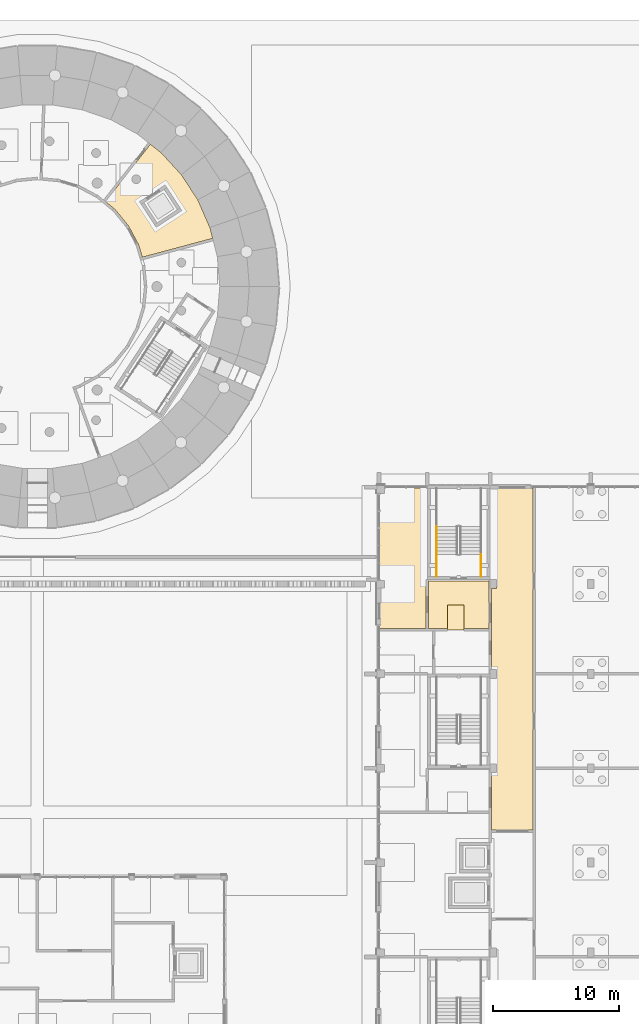
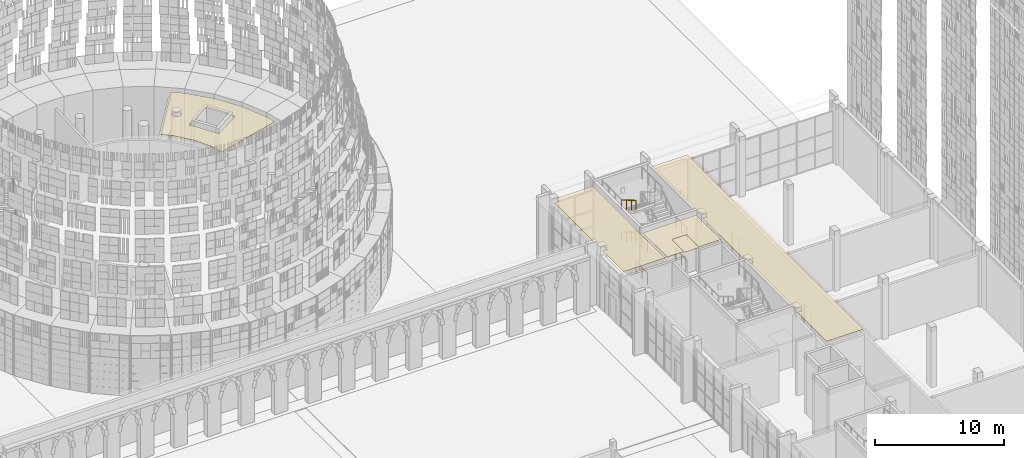
# One storey, part 122 of 125: 6 railings, 5 coverings.
"""IFC4 building model written with IfcOpenShell, lengths in metres."""

from ifc_helpers import new_model, si_unit, direction, frame, origin, origin_2d, place, context, subcontext, project, spatial, polyline, circle, outline, extrude, material, layer, layer_set, type_object, element, save


model = new_model("IFC4")

# Units and contexts
model_context = context("Model", 3, precision=1e-05, world=origin(), true_north=direction((0.0, 1.0)))
body_context = subcontext(model_context, "Body", "Model", "MODEL_VIEW")
ifc_project = project(units=[si_unit("LENGTHUNIT", "METRE"), si_unit("AREAUNIT", "SQUARE_METRE"), si_unit("VOLUMEUNIT", "CUBIC_METRE"), si_unit("PLANEANGLEUNIT", "RADIAN"), si_unit("MASSUNIT", "GRAM", prefix="KILO")], contexts=[model_context])

# Site, building, storey
site_placement = place(None, origin())
site = spatial("IfcSite", under=ifc_project, at=site_placement, CompositionType="ELEMENT")
building_placement = place(site_placement, origin())
building = spatial("IfcBuilding", under=site, at=building_placement, Name="Sun Court Science Centre", CompositionType="ELEMENT")
storey_placement = place(building_placement, origin())
storey = spatial("IfcBuildingStorey", under=building, at=storey_placement, Name="L00", CompositionType="ELEMENT", Elevation=0.0)

# Coverings
ifc_material_1 = material(Name="Perforated steel", Category="steel")
ifc_layer_1 = layer(ifc_material_1, 0.030029296875)
ifc_layer_set_1 = layer_set([ifc_layer_1], Name="Perforated steel")
covering_type_1 = type_object("IfcCoveringType", Name="Ceiling acoustic perforated", PredefinedType="CEILING", material=ifc_layer_set_1)
covering_1_placement = place(storey_placement, frame((0.0, 0.0, 5.27001953125)))
element("IfcCovering", 1, at=covering_1_placement, inside=storey, type_object=covering_type_1, Name="L00-084 ceiling", PredefinedType="CEILING", context=body_context, shape_type="SweptSolid", body=[
    extrude(outline(polyline([(63.7509765625, 103.700439453125), (64.712646484375, 101.507568359375), (64.93310546875, 100.636962890625), (59.339111328125, 99.137939453125), (59.0380859375, 100.12939453125), (58.234130859375, 101.6337890625), (57.152099609375, 102.9521484375), (56.40966796875, 103.5615234375), (59.974609375, 108.12451171875), (60.8193359375, 107.466796875), (62.441162109375, 105.705078125), (63.7509765625, 103.700439453125)]), holes=[polyline([(61.17578125, 105.015869140625), (58.978271484375, 103.580078125), (60.413818359375, 101.382568359375), (62.611572265625, 102.818359375), (61.17578125, 105.015869140625)]), polyline([(59.194580078125, 105.243896484375), (59.19970703125, 105.26611328125), (59.20361328125, 105.288818359375), (59.205810546875, 105.3115234375), (59.20654296875, 105.33447265625), (59.205810546875, 105.357421875), (59.20361328125, 105.380126953125), (59.19970703125, 105.402587890625), (59.194580078125, 105.425048828125), (59.18798828125, 105.447021484375), (59.1796875, 105.46826171875), (59.17041015625, 105.4892578125), (59.15966796875, 105.509521484375), (59.1474609375, 105.52880859375), (59.134033203125, 105.547607421875), (59.11962890625, 105.565185546875), (59.10400390625, 105.581787109375), (59.087158203125, 105.597412109375), (59.069580078125, 105.612060546875), (59.05078125, 105.62548828125), (59.031494140625, 105.637451171875), (59.01123046875, 105.648193359375), (58.990478515625, 105.65771484375), (58.968994140625, 105.665771484375), (58.947021484375, 105.672607421875), (58.9248046875, 105.677734375), (58.902099609375, 105.681396484375), (58.87939453125, 105.68359375), (58.8564453125, 105.684326171875), (58.83349609375, 105.68359375), (58.810791015625, 105.681396484375), (58.7880859375, 105.677734375), (58.765869140625, 105.672607421875), (58.743896484375, 105.665771484375), (58.722412109375, 105.65771484375), (58.70166015625, 105.648193359375), (58.681396484375, 105.637451171875), (58.662109375, 105.62548828125), (58.643310546875, 105.612060546875), (58.625732421875, 105.597412109375), (58.60888671875, 105.581787109375), (58.59326171875, 105.565185546875), (58.578857421875, 105.547607421875), (58.5654296875, 105.52880859375), (58.553466796875, 105.509521484375), (58.54248046875, 105.4892578125), (58.533203125, 105.46826171875), (58.52490234375, 105.447021484375), (58.518310546875, 105.425048828125), (58.51318359375, 105.402587890625), (58.509521484375, 105.380126953125), (58.507080078125, 105.357421875), (58.506591796875, 105.33447265625), (58.507080078125, 105.3115234375), (58.509521484375, 105.288818359375), (58.51318359375, 105.26611328125), (58.518310546875, 105.243896484375), (58.52490234375, 105.221923828125), (58.533203125, 105.200439453125), (58.54248046875, 105.1796875), (58.553466796875, 105.159423828125), (58.5654296875, 105.139892578125), (58.578857421875, 105.121337890625), (58.59326171875, 105.103515625), (58.60888671875, 105.0869140625), (58.625732421875, 105.0712890625), (58.643310546875, 105.056640625), (58.662109375, 105.04345703125), (58.681396484375, 105.03125), (58.70166015625, 105.0205078125), (58.722412109375, 105.010986328125), (58.743896484375, 105.0029296875), (58.765869140625, 104.996337890625), (58.7880859375, 104.9912109375), (58.810791015625, 104.9873046875), (58.83349609375, 104.985107421875), (58.8564453125, 104.984375), (58.87939453125, 104.985107421875), (58.902099609375, 104.9873046875), (58.9248046875, 104.9912109375), (58.947021484375, 104.996337890625), (58.968994140625, 105.0029296875), (58.990478515625, 105.010986328125), (59.01123046875, 105.0205078125), (59.031494140625, 105.03125), (59.05078125, 105.04345703125), (59.069580078125, 105.056640625), (59.087158203125, 105.0712890625), (59.10400390625, 105.0869140625), (59.11962890625, 105.103515625), (59.134033203125, 105.121337890625), (59.1474609375, 105.139892578125), (59.15966796875, 105.159423828125), (59.17041015625, 105.1796875), (59.1796875, 105.200439453125), (59.18798828125, 105.221923828125), (59.194580078125, 105.243896484375)])]), origin(), (0.0, 0.0, 1.0), 0.030029296875),
])
ifc_material_2 = material(Name="Gypsum board")
ifc_layer_2 = layer(ifc_material_2, 0.030029296875)
ifc_layer_set_2 = layer_set([ifc_layer_2], Name="Gypsum board")
covering_type_2 = type_object("IfcCoveringType", Name="Ceiling suspended 600 module", PredefinedType="CEILING", material=ifc_layer_set_2)
covering_2_placement = place(storey_placement, frame((0.0, 0.0, 5.27001953125)))
element("IfcCovering", 2, at=covering_2_placement, inside=storey, type_object=covering_type_2, Name="L00-038 ceiling", PredefinedType="CEILING", context=body_context, shape_type="SweptSolid", body=[
    extrude(outline(polyline([(90.39990234375, 80.800048828125), (90.39990234375, 53.60009765625), (87.10009765625, 53.60009765625), (87.10009765625, 58.14990234375), (87.5, 58.14990234375), (87.5, 58.85009765625), (87.10009765625, 58.85009765625), (87.10009765625, 65.64990234375), (87.5, 65.64990234375), (87.5, 66.35009765625), (87.10009765625, 66.35009765625), (87.10009765625, 72.800048828125), (87.5, 72.800048828125), (87.5, 73.5), (87.10009765625, 73.5), (87.10009765625, 80.800048828125), (90.39990234375, 80.800048828125)])), origin(), (0.0, 0.0, 1.0), 0.030029296875),
])
covering_3_placement = place(storey_placement, frame((0.0, 0.0, 5.27001953125)))
element("IfcCovering", 3, at=covering_3_placement, inside=storey, type_object=covering_type_2, Name="L00-042 ceiling", PredefinedType="CEILING", context=body_context, shape_type="SweptSolid", body=[
    extrude(outline(polyline([(84.89990234375, 71.5), (83.60009765625, 71.5), (83.60009765625, 69.60009765625), (82.10009765625, 69.60009765625), (82.10009765625, 73.39990234375), (86.89990234375, 73.39990234375), (86.89990234375, 69.60009765625), (84.89990234375, 69.60009765625), (84.89990234375, 71.5)])), origin(), (0.0, 0.0, 1.0), 0.030029296875),
])
covering_4_placement = place(storey_placement, frame((0.0, 0.0, 5.27001953125)))
element("IfcCovering", 4, at=covering_4_placement, inside=storey, type_object=covering_type_2, Name="L00-052 ceiling", PredefinedType="CEILING", context=body_context, shape_type="SweptSolid", body=[
    extrude(outline(polyline([(78.60009765625, 80.800048828125), (81.89990234375, 80.800048828125), (81.89990234375, 69.60009765625), (78.199951171875, 69.60009765625), (78.199951171875, 72.85009765625), (78.60009765625, 72.85009765625), (78.60009765625, 73.449951171875), (78.199951171875, 73.449951171875), (78.199951171875, 80.35009765625), (78.60009765625, 80.35009765625), (78.60009765625, 80.800048828125)])), origin(), (0.0, 0.0, 1.0), 0.030029296875),
])
covering_5_placement = place(storey_placement, frame((0.0, 0.0, 5.27001953125)))
element("IfcCovering", 5, at=covering_5_placement, inside=storey, type_object=covering_type_2, Name="L00-060 ceiling", PredefinedType="CEILING", context=body_context, shape_type="SweptSolid", body=[
    extrude(outline(polyline([(84.89990234375, 71.5), (84.89990234375, 69.5), (83.60009765625, 69.5), (83.60009765625, 71.5), (84.89990234375, 71.5)])), origin(), (0.0, 0.0, 1.0), 0.030029296875),
])

# Railings
ifc_material_3 = material(Name="Steel S275", Category="steel")
railing_type_1 = type_object("IfcRailingType", Name="Guard 1100 steel balustrade", PredefinedType="GUARDRAIL", material=ifc_material_3)
for number, where, name in (
    (6, (86.27294921875, 73.75, 3.0), "L00 SL4 stair guard 7"),
    (7, (82.72705078125, 73.75, 3.0), "L00 SL4 stair guard 8"),
    (8, (86.27294921875, 73.75, 0.0), "L00 SL4 stair guard 15"),
    (9, (82.72705078125, 73.75, 0.0), "L00 SL4 stair guard 16"),
):
    element("IfcRailing", number, at=place(storey_placement, frame(where)), inside=storey, type_object=railing_type_1, Name=name, PredefinedType="GUARDRAIL", context=body_context, shape_type="SweptSolid", body=[
        extrude(circle(Radius=0.02392578125, at=origin_2d()), frame((0.0, 0.0, 1.076171875), z_axis=(0.0, 1.0, 0.0), x_axis=(-1.0, 0.0, 0.0)), (0.0, 0.0, 1.0), 1.748046875),
        extrude(circle(Radius=0.02099609375, at=origin_2d()), origin(), (0.0, 0.0, 1.0), 1.052001953125),
        extrude(circle(Radius=0.02099609375, at=origin_2d()), frame((0.0, 0.8740234375, 0.0)), (0.0, 0.0, 1.0), 1.052001953125),
        extrude(circle(Radius=0.02099609375, at=origin_2d()), frame((0.0, 1.748046875, 0.0)), (0.0, 0.0, 1.0), 1.052001953125),
    ])
ifc_material_4 = material(Name="Stainless steel", Category="steel")
railing_type_2 = type_object("IfcRailingType", Name="Handrail 900 stainless", PredefinedType="HANDRAIL", material=ifc_material_4)
for number, where, name in (
    (10, (82.72705078125, 77.738037109375, 1.666748046875), "L00 SL4 stair handrail 2"),
    (11, (82.72705078125, 77.738037109375, 4.666748046875), "L00 SL4 stair handrail 4"),
):
    element("IfcRailing", number, at=place(storey_placement, frame(where)), inside=storey, type_object=railing_type_2, Name=name, PredefinedType="HANDRAIL", context=body_context, shape_type="SweptSolid", body=[
        extrude(circle(Radius=0.02392578125, at=origin_2d()), frame((0.0, 0.0, 0.8759765625), z_axis=(0.0, -0.859305625298, 0.511462454469), x_axis=(1.0, 0.0, 0.0)), (0.0, 0.0, 1.0), 2.606689453125),
        extrude(circle(Radius=0.02099609375, at=origin_2d()), origin(), (0.0, 0.0, 1.0), 0.851806640625),
        extrude(circle(Radius=0.02099609375, at=origin_2d()), frame((0.0, -0.74658203125, 0.4443359375)), (0.0, 0.0, 1.0), 0.851806640625),
        extrude(circle(Radius=0.02099609375, at=origin_2d()), frame((0.0, -1.493408203125, 0.888916015625)), (0.0, 0.0, 1.0), 0.851806640625),
        extrude(circle(Radius=0.02099609375, at=origin_2d()), frame((0.0, -2.239990234375, 1.333251953125)), (0.0, 0.0, 1.0), 0.851806640625),
    ])

save(model, "model.ifc")
